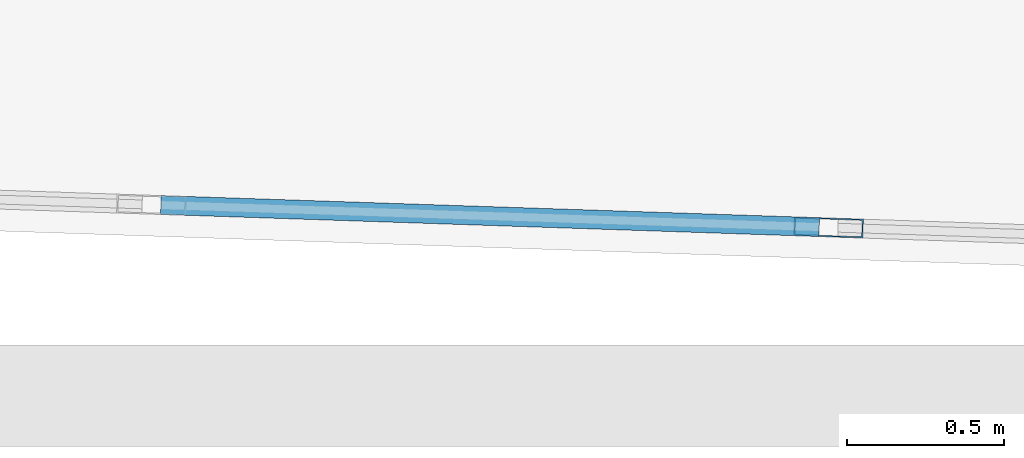
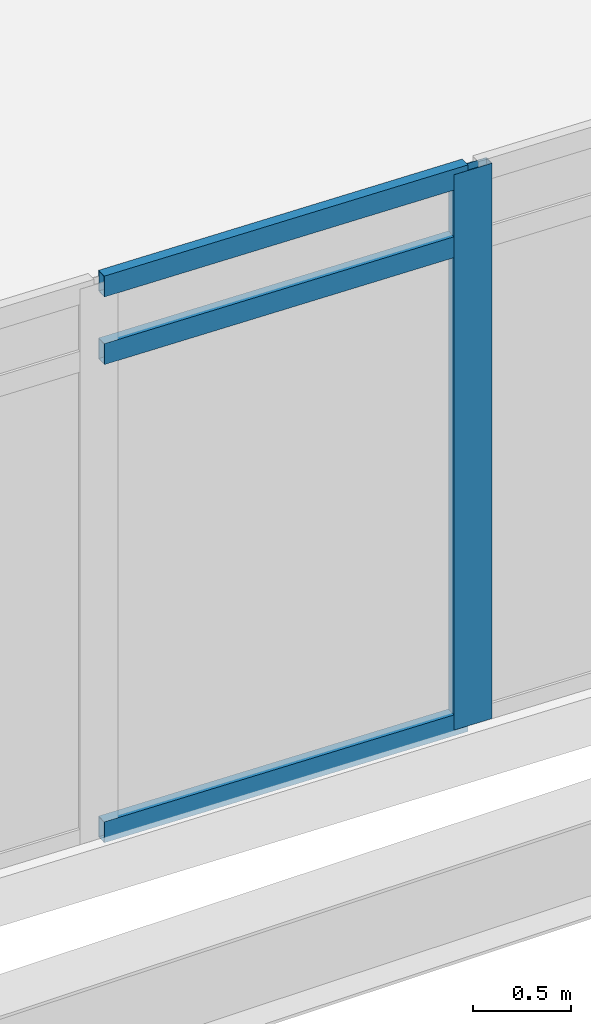
# One storey, part 3 of 29: 4 members, 1 element without a shape of its own.
"""IFC4 building model written with IfcOpenShell, lengths in metres."""

import ifcopenshell
import ifcopenshell.guid

model = None  # the IFC model being written
_history = None  # IfcOwnerHistory: only IFC2X3 demands one
_inside = {}  # id of a spatial element -> (the spatial element, [elements in it])
_under = {}  # id of a project, library or spatial element -> (it, [spatial elements below it])
_declared = {}  # id of a project -> (the project, [libraries it declares])
_typed = {}  # id of a type object -> (the type object, [elements of that type])
_made_of = {}  # id of a material, layer set ... -> (it, [elements and type objects made of it])


def new_model(schema):
    """Start an empty IFC model of exactly this schema.

    Asked for "IFC4X3", IfcOpenShell would pick the latest addendum, in which some entities
    have other attributes; the version numbers below select the first issue.
    IFC2X3 requires an IfcOwnerHistory on every rooted entity: one is made here for all.
    """
    global model, _history
    if schema == "IFC4X3":
        model = ifcopenshell.file(schema_version=(4, 3, 0, 0))
    else:
        model = ifcopenshell.file(schema=schema)
    _inside.clear()
    _under.clear()
    _declared.clear()
    _typed.clear()
    _made_of.clear()
    _history = None
    if model.schema == "IFC2X3":
        org = make("IfcOrganization", Name="unknown")
        user = make(
            "IfcPersonAndOrganization",
            ThePerson=make("IfcPerson", FamilyName="unknown"),
            TheOrganization=org,
        )
        app = make(
            "IfcApplication",
            ApplicationDeveloper=org,
            Version="unknown",
            ApplicationFullName="unknown",
            ApplicationIdentifier="unknown",
        )
        _history = make(
            "IfcOwnerHistory",
            OwningUser=user,
            OwningApplication=app,
            ChangeAction="ADDED",
            CreationDate=0,
        )
    return model


def make(cls, **values):
    """One entity of the class cls with the attributes given. An attribute that is None is left unset."""
    return model.create_entity(
        cls, **{name: value for name, value in values.items() if value is not None}
    )


def rooted(cls, **values):
    """An entity with a GlobalId (a new one), such as an element, a storey or a relation."""
    return make(cls, GlobalId=ifcopenshell.guid.new(), OwnerHistory=_history, **values)


def si_unit(unit_type, name, prefix=None):
    """IfcSIUnit, for example si_unit("LENGTHUNIT", "METRE", prefix="MILLI")."""
    return make("IfcSIUnit", UnitType=unit_type, Prefix=prefix, Name=name)


def assignment(units):
    """IfcUnitAssignment: the units of a project."""
    return None if units is None else make("IfcUnitAssignment", Units=units)


def point(xyz):
    """IfcCartesianPoint."""
    return None if xyz is None else make("IfcCartesianPoint", Coordinates=xyz)


def direction(xyz):
    """IfcDirection."""
    return None if xyz is None else make("IfcDirection", DirectionRatios=xyz)


def frame(location, z_axis=None, x_axis=None):
    """IfcAxis2Placement3D, a coordinate frame: its origin and axes. An axis left out is left unset."""
    return make(
        "IfcAxis2Placement3D",
        Location=point(location),
        Axis=direction(z_axis),
        RefDirection=direction(x_axis),
    )


def frame_2d(location, x_axis=None):
    """IfcAxis2Placement2D, a coordinate frame in the plane: its origin and x axis."""
    return make(
        "IfcAxis2Placement2D", Location=point(location), RefDirection=direction(x_axis)
    )


def origin():
    """The frame at (0, 0, 0) with its axes left unset."""
    return frame((0.0, 0.0, 0.0))


def origin_2d():
    """The frame at (0, 0) in the plane with its x axis left unset."""
    return frame_2d((0.0, 0.0))


def place(relative_to, where):
    """IfcLocalPlacement: puts the frame where relative to a parent placement (None: the world)."""
    return make(
        "IfcLocalPlacement", PlacementRelTo=relative_to, RelativePlacement=where
    )


def context(
    kind, dimensions, precision=None, world=None, true_north=None, identifier=None
):
    """IfcGeometricRepresentationContext, for example the 3D "Model" context."""
    return make(
        "IfcGeometricRepresentationContext",
        ContextIdentifier=identifier,
        ContextType=kind,
        CoordinateSpaceDimension=dimensions,
        Precision=precision,
        WorldCoordinateSystem=world,
        TrueNorth=true_north,
    )


def subcontext(parent, identifier, kind, view, scale=None):
    """IfcGeometricRepresentationSubContext, for example "Body" below "Model"."""
    return make(
        "IfcGeometricRepresentationSubContext",
        ContextIdentifier=identifier,
        ContextType=kind,
        ParentContext=parent,
        TargetScale=scale,
        TargetView=view,
    )


def project(units=None, contexts=None):
    """IfcProject with its units and contexts."""
    return rooted(
        "IfcProject",
        Name="project",
        RepresentationContexts=contexts,
        UnitsInContext=assignment(units),
    )


def spatial(cls, under=None, at=None, **own):
    """A site, building, storey or space (cls), placed at a placement, below another one or the project."""
    s = rooted(cls, ObjectPlacement=at, **own)
    if under is not None:
        _under.setdefault(under.id(), (under, []))[1].append(s)
    return s


def profile(cls, at=None, kind="AREA", **sizes):
    """A parametric profile (cls). Its sizes go by their IFC names, for example OverallWidth=200.0."""
    return make(cls, ProfileType=kind, Position=at, **sizes)


def hollow_rectangle(**sizes):
    """IfcRectangleHollowProfileDef."""
    return profile("IfcRectangleHollowProfileDef", **sizes)


def extrude(swept, where, along, depth):
    """IfcExtrudedAreaSolid: the profile swept, set in the frame where, extruded along a direction by depth."""
    return make(
        "IfcExtrudedAreaSolid",
        SweptArea=swept,
        Position=where,
        ExtrudedDirection=direction(along),
        Depth=depth,
    )


def shape(context_of_items, identifier, shape_type, items):
    """IfcShapeRepresentation: the items that make up one representation, for example the "Body"."""
    return make(
        "IfcShapeRepresentation",
        ContextOfItems=context_of_items,
        RepresentationIdentifier=identifier,
        RepresentationType=shape_type,
        Items=items,
    )


def material(Name=None, Category=None):
    """IfcMaterial."""
    return make("IfcMaterial", Name=Name, Category=Category)


def material_profile(
    of_material, cross_section, Name=None, Category=None, Priority=None
):
    """IfcMaterialProfile: a cross section and its material."""
    return make(
        "IfcMaterialProfile",
        Name=Name,
        Material=of_material,
        Profile=cross_section,
        Priority=Priority,
        Category=Category,
    )


def profile_set(profiles, Name=None, composite=None):
    """IfcMaterialProfileSet."""
    return make(
        "IfcMaterialProfileSet",
        Name=Name,
        MaterialProfiles=profiles,
        CompositeProfile=composite,
    )


def made_of(thing, what):
    """Note that an element or type object is made of a material, layer set ...; save() writes the relation."""
    if what is not None:
        _made_of.setdefault(what.id(), (what, []))[1].append(thing)
    return thing


def type_object(cls, material=None, **own):
    """A type object (cls), such as IfcWallType, which elements share."""
    return made_of(rooted(cls, **own), material)


def element(
    cls,
    number,
    at=None,
    inside=None,
    cuts=None,
    type_object=None,
    material=None,
    context=None,
    identifier="Body",
    shape_type=None,
    held_by="IfcProductDefinitionShape",
    body=None,
    shapes=None,
    **own,
):
    """One element of the class cls, such as IfcWall. Its Tag is "e" and its number.

    at: its placement. inside: the storey or other place that contains it. cuts: it is an
    opening in that element (IfcRelVoidsElement). A single representation is given by context,
    identifier, shape_type and body (its items); several are given by shapes. held_by: the class
    of the entity that holds the representations. save() writes the other relations.
    """
    e = rooted(cls, Tag="e%d" % number, ObjectPlacement=at, **own)
    if body is not None:
        shapes = [shape(context, identifier, shape_type, body)]
    if shapes is not None:
        e.Representation = make(held_by, Representations=shapes)
    if inside is not None:
        _inside.setdefault(inside.id(), (inside, []))[1].append(e)
    if cuts is not None:
        rooted(
            "IfcRelVoidsElement", RelatingBuildingElement=cuts, RelatedOpeningElement=e
        )
    if type_object is not None:
        _typed.setdefault(type_object.id(), (type_object, []))[1].append(e)
    return made_of(e, material)


def aggregate(whole, parts):
    """IfcRelAggregates: a whole, such as a stair, and the parts it consists of."""
    return rooted("IfcRelAggregates", RelatingObject=whole, RelatedObjects=parts)


def save(model, path):
    """Write the relations noted so far, then the file.

    IfcRelAggregates (storeys below a building ...), IfcRelContainedInSpatialStructure (elements
    in a storey), IfcRelDefinesByType, IfcRelAssociatesMaterial and IfcRelDeclares: one each for
    every whole, place, type object, material and project.
    """
    for whole, parts in _under.values():
        aggregate(whole, parts)
    for where, things in _inside.values():
        rooted(
            "IfcRelContainedInSpatialStructure",
            RelatedElements=things,
            RelatingStructure=where,
        )
    for kind, things in _typed.values():
        rooted("IfcRelDefinesByType", RelatedObjects=things, RelatingType=kind)
    for what, things in _made_of.values():
        rooted("IfcRelAssociatesMaterial", RelatedObjects=things, RelatingMaterial=what)
    for by, libraries in _declared.values():
        rooted("IfcRelDeclares", RelatingContext=by, RelatedDefinitions=libraries)
    model.write(path)


model = new_model("IFC4")

# Units and contexts
model_context = context("Model", 3, precision=1e-05, world=origin(), true_north=direction((0.0, 1.0)))
body_context = subcontext(model_context, "Body", "Model", "MODEL_VIEW")
ifc_project = project(units=[si_unit("LENGTHUNIT", "METRE"), si_unit("AREAUNIT", "SQUARE_METRE"), si_unit("VOLUMEUNIT", "CUBIC_METRE"), si_unit("PLANEANGLEUNIT", "RADIAN"), si_unit("MASSUNIT", "GRAM", prefix="KILO")], contexts=[model_context])

# Site, building, storey
site_placement = place(None, origin())
site = spatial("IfcSite", under=ifc_project, at=site_placement, CompositionType="ELEMENT")
building_placement = place(site_placement, origin())
building = spatial("IfcBuilding", under=site, at=building_placement, Name="Ostrander Bayou Hotel Tower", CompositionType="ELEMENT")
storey_placement = place(building_placement, frame((0.0, 0.0, 205.75)))
storey = spatial("IfcBuildingStorey", under=building, at=storey_placement, Name="L51", CompositionType="ELEMENT", Elevation=205.75)

# Curtain wall, members
ifc_material_1 = material(Name="Aluminium and clear glass", Category="aluminium")
curtain_wall_type = type_object("IfcCurtainWallType", Name="CW-BAR glazed wall", PredefinedType="NOTDEFINED", material=ifc_material_1)
curtain_wall_placement = place(storey_placement, origin())
curtain_wall = element("IfcCurtainWall", 1, at=curtain_wall_placement, inside=storey, type_object=curtain_wall_type, Name="CW-BAR L51:SB4S:T", PredefinedType="NOTDEFINED")
ifc_material_2 = material(Name="Aluminium", Category="aluminium")
ifc_material_profile_1 = material_profile(ifc_material_2, hollow_rectangle(XDim=0.06005859375, YDim=0.219970703125, WallThickness=0.00390625, at=origin_2d()))
ifc_profile_set_1 = profile_set([ifc_material_profile_1], Name="Aluminium")
member_type_1 = type_object("IfcMemberType", Name="CW-BR mullion 60 x 220 mm", PredefinedType="MULLION", material=ifc_profile_set_1)
member_1_placement = place(storey_placement, frame((-1.077880859375, -29.61376953125, 0.0), z_axis=(0.0, 0.0, 1.0), x_axis=(0.03350511268, 0.999438546097, 0.0)))
member_1 = element("IfcMember", 2, at=member_1_placement, type_object=member_type_1, Name="CW-BAR mullion 6", PredefinedType="MULLION", context=body_context, shape_type="SweptSolid", body=[
    extrude(hollow_rectangle(XDim=0.06005859375, YDim=0.219970703125, WallThickness=0.00390625, at=origin_2d()), origin(), (0.0, 0.0, 1.0), 3.449951171875),
])
ifc_material_3 = material(Name="Aluminium", Category="aluminium")
ifc_material_profile_2 = material_profile(ifc_material_3, hollow_rectangle(XDim=0.06005859375, YDim=0.1298828125, WallThickness=0.00390625, at=origin_2d()))
ifc_profile_set_2 = profile_set([ifc_material_profile_2], Name="Aluminium")
member_type_2 = type_object("IfcMemberType", Name="CW-BR transom 60 x 130 mm", PredefinedType="USERDEFINED", material=ifc_profile_set_2)
member_2_placement = place(storey_placement, frame((-3.203857421875, -29.54248046875, 0.030029296875), z_axis=(0.99943777778, -0.033528023297, 0.0), x_axis=(0.033528023297, 0.99943777778, 0.0)))
member_2 = element("IfcMember", 3, at=member_2_placement, type_object=member_type_2, Name="CW-BAR transom 5.1", ObjectType="TRANSOM", PredefinedType="USERDEFINED", context=body_context, shape_type="SweptSolid", body=[
    extrude(hollow_rectangle(XDim=0.06005859375, YDim=0.1298828125, WallThickness=0.00390625, at=origin_2d()), origin(), (0.0, 0.0, 1.0), 2.09716796875),
])
member_3_placement = place(storey_placement, frame((-3.203857421875, -29.54248046875, 3.0), z_axis=(0.99943777778, -0.033528023297, 0.0), x_axis=(0.033528023297, 0.99943777778, 0.0)))
member_3 = element("IfcMember", 4, at=member_3_placement, type_object=member_type_2, Name="CW-BAR transom 5.2", ObjectType="TRANSOM", PredefinedType="USERDEFINED", context=body_context, shape_type="SweptSolid", body=[
    extrude(hollow_rectangle(XDim=0.06005859375, YDim=0.1298828125, WallThickness=0.00390625, at=origin_2d()), origin(), (0.0, 0.0, 1.0), 2.09716796875),
])
member_4_placement = place(storey_placement, frame((-3.203857421875, -29.54248046875, 3.419921875), z_axis=(0.99943777778, -0.033528023297, 0.0), x_axis=(0.033528023297, 0.99943777778, 0.0)))
member_4 = element("IfcMember", 5, at=member_4_placement, type_object=member_type_2, Name="CW-BAR transom 5.3", ObjectType="TRANSOM", PredefinedType="USERDEFINED", context=body_context, shape_type="SweptSolid", body=[
    extrude(hollow_rectangle(XDim=0.06005859375, YDim=0.1298828125, WallThickness=0.00390625, at=origin_2d()), origin(), (0.0, 0.0, 1.0), 2.09716796875),
])
aggregate(curtain_wall, [member_1, member_2, member_3, member_4])

save(model, "model.ifc")
